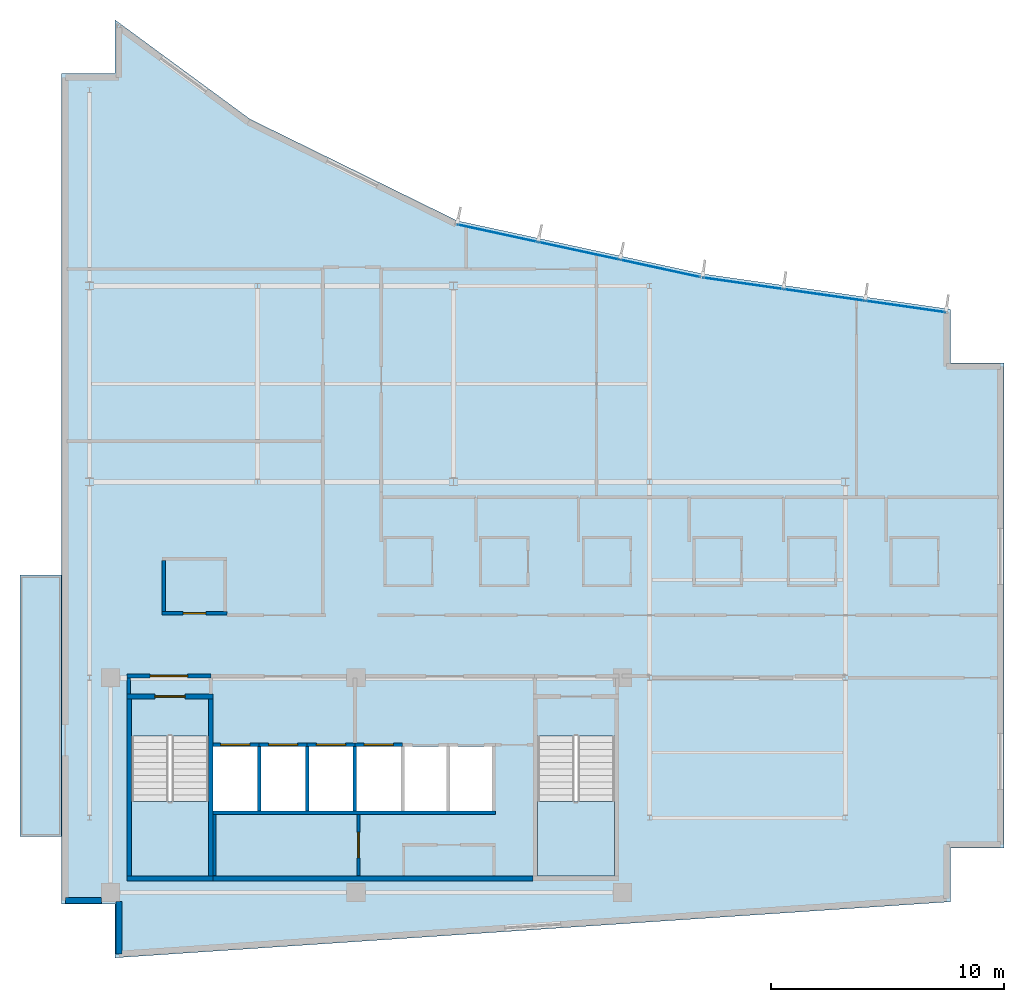
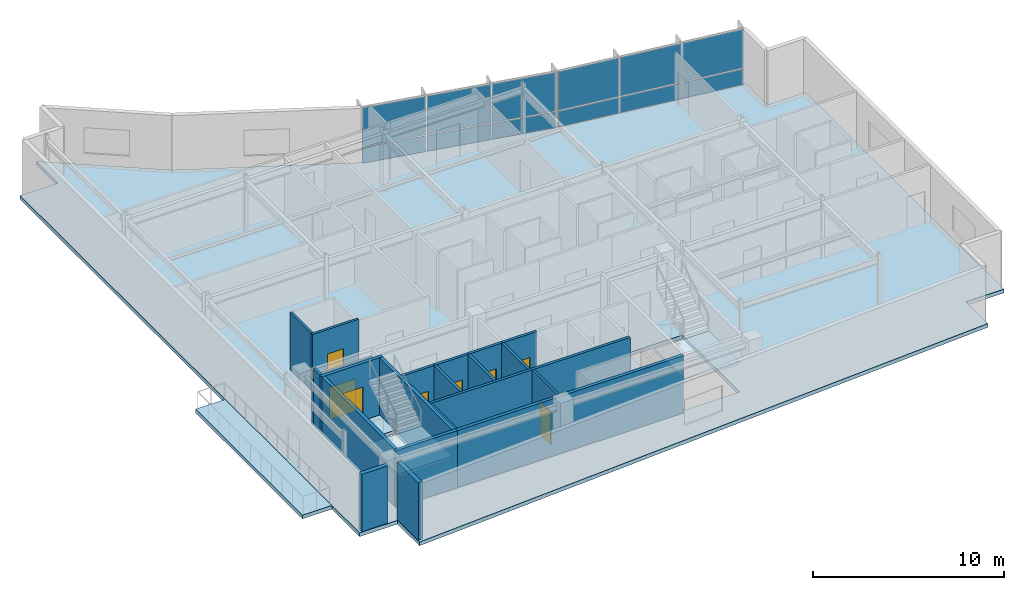
# One storey, part 9 of 15: 21 walls, 12 plates, 8 doors, 4 slabs, 8 openings, 4 elements without a shape of their own.
"""IFC4 building model written with IfcOpenShell, lengths in metres."""

from ifc_helpers import new_model, si_unit, direction, frame, frame_2d, origin, origin_2d, place, context, subcontext, project, spatial, polyline, rectangle, outline, extrude, material, layer, layer_set, type_object, element, fill, aggregate, save


model = new_model("IFC4")

# Units and contexts
model_context = context("Model", 3, precision=1e-05, world=origin(), true_north=direction((0.0, 1.0)))
body_context = subcontext(model_context, "Body", "Model", "MODEL_VIEW")
ifc_project = project(units=[si_unit("LENGTHUNIT", "METRE"), si_unit("AREAUNIT", "SQUARE_METRE"), si_unit("VOLUMEUNIT", "CUBIC_METRE"), si_unit("PLANEANGLEUNIT", "RADIAN"), si_unit("MASSUNIT", "GRAM", prefix="KILO")], contexts=[model_context])

# Site, building, storey
site_placement = place(None, origin())
site = spatial("IfcSite", under=ifc_project, at=site_placement, CompositionType="ELEMENT")
building_placement = place(site_placement, origin())
building = spatial("IfcBuilding", under=site, at=building_placement, Name="Varnakote Quay Hospital", CompositionType="ELEMENT")
storey_placement = place(building_placement, frame((0.0, 0.0, 300.0)))
storey = spatial("IfcBuildingStorey", under=building, at=storey_placement, Name="L74", CompositionType="ELEMENT", Elevation=300.0)

# Curtain wall, plates
ifc_material_1 = material(Name="Anodised aluminium 6063-T6 Bronze", Category="aluminium")
ifc_layer_1 = layer(ifc_material_1, 0.235107421875)
ifc_layer_set_1 = layer_set([ifc_layer_1], Name="Anodised aluminium 6063-T6 Bronze")
curtain_wall_type = type_object("IfcCurtainWallType", Name="CW-SYS-5", PredefinedType="NOTDEFINED", material=ifc_layer_set_1)
curtain_wall_1_placement = place(storey_placement, origin())
curtain_wall_1 = element("IfcCurtainWall", 1, at=curtain_wall_1_placement, inside=storey, type_object=curtain_wall_type, Name="L74 Unitised Bronze Curtain Wall 1", PredefinedType="NOTDEFINED")
ifc_material_2 = material(Name="Double-glazed low-E solar glass", Category="glass")
ifc_layer_2 = layer(ifc_material_2, 0.028076171875)
ifc_layer_set_2 = layer_set([ifc_layer_2], Name="Double-glazed low-E solar glass")
plate_type = type_object("IfcPlateType", Name="CW-PNL-GLZ-28", PredefinedType="CURTAIN_PANEL", material=ifc_layer_set_2)
plate_1_placement = place(storey_placement, frame((36.174560546875, 27.913818359375, 0.06494140625), z_axis=(0.0, 0.0, 1.0), x_axis=(-0.989927979062, 0.141571876691, 0.0)))
plate_1 = element("IfcPlate", 2, at=plate_1_placement, type_object=plate_type, Name="-5-L74-1 panel 1.1", PredefinedType="CURTAIN_PANEL", context=body_context, shape_type="SweptSolid", body=[
    extrude(rectangle(XDim=3.436767578125, YDim=0.028076171875, at=origin_2d()), origin(), (0.0, 0.0, 1.0), 1.00244140625),
])
plate_2_placement = place(storey_placement, frame((36.174560546875, 27.913818359375, 1.13232421875), z_axis=(0.0, 0.0, 1.0), x_axis=(-0.989927979062, 0.141571876691, 0.0)))
plate_2 = element("IfcPlate", 3, at=plate_2_placement, type_object=plate_type, Name="-5-L74-1 panel 1.2", PredefinedType="CURTAIN_PANEL", context=body_context, shape_type="SweptSolid", body=[
    extrude(rectangle(XDim=3.436767578125, YDim=0.028076171875, at=origin_2d()), origin(), (0.0, 0.0, 1.0), 2.472412109375),
])
plate_3_placement = place(storey_placement, frame((32.69189453125, 28.411865234375, 0.06494140625), z_axis=(0.0, 0.0, 1.0), x_axis=(-0.989927979062, 0.141571876691, 0.0)))
plate_3 = element("IfcPlate", 4, at=plate_3_placement, type_object=plate_type, Name="-5-L74-1 panel 2.1", PredefinedType="CURTAIN_PANEL", context=body_context, shape_type="SweptSolid", body=[
    extrude(rectangle(XDim=3.469482421875, YDim=0.028076171875, at=origin_2d()), origin(), (0.0, 0.0, 1.0), 1.00244140625),
])
plate_4_placement = place(storey_placement, frame((32.69189453125, 28.411865234375, 1.13232421875), z_axis=(0.0, 0.0, 1.0), x_axis=(-0.989927979062, 0.141571876691, 0.0)))
plate_4 = element("IfcPlate", 5, at=plate_4_placement, type_object=plate_type, Name="-5-L74-1 panel 2.2", PredefinedType="CURTAIN_PANEL", context=body_context, shape_type="SweptSolid", body=[
    extrude(rectangle(XDim=3.469482421875, YDim=0.028076171875, at=origin_2d()), origin(), (0.0, 0.0, 1.0), 2.472412109375),
])
plate_5_placement = place(storey_placement, frame((29.209228515625, 28.909912109375, 0.06494140625), z_axis=(0.0, 0.0, 1.0), x_axis=(-0.989927979062, 0.141571876691, 0.0)))
plate_5 = element("IfcPlate", 6, at=plate_5_placement, type_object=plate_type, Name="-5-L74-1 panel 3.1", PredefinedType="CURTAIN_PANEL", context=body_context, shape_type="SweptSolid", body=[
    extrude(rectangle(XDim=3.436767578125, YDim=0.028076171875, at=origin_2d()), origin(), (0.0, 0.0, 1.0), 1.00244140625),
])
plate_6_placement = place(storey_placement, frame((29.209228515625, 28.909912109375, 1.13232421875), z_axis=(0.0, 0.0, 1.0), x_axis=(-0.989927979062, 0.141571876691, 0.0)))
plate_6 = element("IfcPlate", 7, at=plate_6_placement, type_object=plate_type, Name="-5-L74-1 panel 3.2", PredefinedType="CURTAIN_PANEL", context=body_context, shape_type="SweptSolid", body=[
    extrude(rectangle(XDim=3.436767578125, YDim=0.028076171875, at=origin_2d()), origin(), (0.0, 0.0, 1.0), 2.472412109375),
])
aggregate(curtain_wall_1, [plate_1, plate_2, plate_3, plate_4, plate_5, plate_6])

curtain_wall_2_placement = place(storey_placement, origin())
curtain_wall_2 = element("IfcCurtainWall", 8, at=curtain_wall_2_placement, inside=storey, type_object=curtain_wall_type, Name="L74 Unitised Bronze Curtain Wall 2", PredefinedType="NOTDEFINED")
plate_7_placement = place(storey_placement, frame((25.673095703125, 29.54541015625, 0.06494140625), z_axis=(0.0, 0.0, 1.0), x_axis=(-0.97739794114, 0.211407815974, 0.0)))
plate_7 = element("IfcPlate", 9, at=plate_7_placement, type_object=plate_type, Name="-5-L74-2 panel 1.1", PredefinedType="CURTAIN_PANEL", context=body_context, shape_type="SweptSolid", body=[
    extrude(rectangle(XDim=3.4931640625, YDim=0.028076171875, at=origin_2d()), origin(), (0.0, 0.0, 1.0), 1.00244140625),
])
plate_8_placement = place(storey_placement, frame((25.673095703125, 29.54541015625, 1.13232421875), z_axis=(0.0, 0.0, 1.0), x_axis=(-0.97739794114, 0.211407815974, 0.0)))
plate_8 = element("IfcPlate", 10, at=plate_8_placement, type_object=plate_type, Name="-5-L74-2 panel 1.2", PredefinedType="CURTAIN_PANEL", context=body_context, shape_type="SweptSolid", body=[
    extrude(rectangle(XDim=3.4931640625, YDim=0.028076171875, at=origin_2d()), origin(), (0.0, 0.0, 1.0), 2.472412109375),
])
plate_9_placement = place(storey_placement, frame((22.179443359375, 30.301025390625, 0.06494140625), z_axis=(0.0, 0.0, 1.0), x_axis=(-0.97739794114, 0.211407815974, 0.0)))
plate_9 = element("IfcPlate", 11, at=plate_9_placement, type_object=plate_type, Name="-5-L74-2 panel 2.1", PredefinedType="CURTAIN_PANEL", context=body_context, shape_type="SweptSolid", body=[
    extrude(rectangle(XDim=3.525634765625, YDim=0.028076171875, at=origin_2d()), origin(), (0.0, 0.0, 1.0), 1.00244140625),
])
plate_10_placement = place(storey_placement, frame((22.179443359375, 30.301025390625, 1.13232421875), z_axis=(0.0, 0.0, 1.0), x_axis=(-0.97739794114, 0.211407815974, 0.0)))
plate_10 = element("IfcPlate", 12, at=plate_10_placement, type_object=plate_type, Name="-5-L74-2 panel 2.2", PredefinedType="CURTAIN_PANEL", context=body_context, shape_type="SweptSolid", body=[
    extrude(rectangle(XDim=3.525634765625, YDim=0.028076171875, at=origin_2d()), origin(), (0.0, 0.0, 1.0), 2.472412109375),
])
plate_11_placement = place(storey_placement, frame((18.685791015625, 31.056640625, 0.06494140625), z_axis=(0.0, 0.0, 1.0), x_axis=(-0.97739794114, 0.211407815974, 0.0)))
plate_11 = element("IfcPlate", 13, at=plate_11_placement, type_object=plate_type, Name="-5-L74-2 panel 3.1", PredefinedType="CURTAIN_PANEL", context=body_context, shape_type="SweptSolid", body=[
    extrude(rectangle(XDim=3.4931640625, YDim=0.028076171875, at=origin_2d()), origin(), (0.0, 0.0, 1.0), 1.00244140625),
])
plate_12_placement = place(storey_placement, frame((18.685791015625, 31.056640625, 1.13232421875), z_axis=(0.0, 0.0, 1.0), x_axis=(-0.97739794114, 0.211407815974, 0.0)))
plate_12 = element("IfcPlate", 14, at=plate_12_placement, type_object=plate_type, Name="-5-L74-2 panel 3.2", PredefinedType="CURTAIN_PANEL", context=body_context, shape_type="SweptSolid", body=[
    extrude(rectangle(XDim=3.4931640625, YDim=0.028076171875, at=origin_2d()), origin(), (0.0, 0.0, 1.0), 2.472412109375),
])
aggregate(curtain_wall_2, [plate_7, plate_8, plate_9, plate_10, plate_11, plate_12])

# Stair, slab
ifc_material_3 = material(Name="Concrete N40 (f'c 40 MPa)", Category="concrete")
stair_type = type_object("IfcStairType", Name="STR-CORE-1580", PredefinedType="HALF_TURN_STAIR", material=ifc_material_3)
stair_1_placement = place(storey_placement, origin())
stair_1 = element("IfcStair", 15, at=stair_1_placement, inside=storey, type_object=stair_type, Name="L74 Fire-Isolated Exit Stair ST-01", PredefinedType="HALF_TURN_STAIR")
ifc_material_4 = material(Name="Concrete N40 (f'c 40 MPa)", Category="concrete")
ifc_layer_3 = layer(ifc_material_4, 0.199951171875)
ifc_layer_set_3 = layer_set([ifc_layer_3], Name="Concrete N40 (f'c 40 MPa)")
slab_type_1 = type_object("IfcSlabType", Name="SLB-STAIR-LND-200", PredefinedType="LANDING", material=ifc_layer_set_3)
slab_1_placement = place(storey_placement, frame((0.0, 0.0, 1.77490234375)))
slab_1 = element("IfcSlab", 16, at=slab_1_placement, type_object=slab_type_1, Name="ST-01 landing 1", PredefinedType="LANDING", context=body_context, shape_type="SweptSolid", body=[
    extrude(outline(polyline([(3.0, 6.699951171875), (3.0, 3.5), (6.300048828125, 3.5), (6.300048828125, 6.699951171875), (3.0, 6.699951171875)])), origin(), (0.0, 0.0, 1.0), 0.2001953125),
])
aggregate(stair_1, [slab_1])

stair_2_placement = place(storey_placement, origin())
stair_2 = element("IfcStair", 17, at=stair_2_placement, inside=storey, type_object=stair_type, Name="L74 Fire-Isolated Exit Stair ST-02", PredefinedType="HALF_TURN_STAIR")
slab_2_placement = place(storey_placement, frame((0.0, 0.0, 1.77490234375)))
slab_2 = element("IfcSlab", 18, at=slab_2_placement, type_object=slab_type_1, Name="ST-02 landing 1", PredefinedType="LANDING", context=body_context, shape_type="SweptSolid", body=[
    extrude(outline(polyline([(20.39990234375, 6.699951171875), (20.39990234375, 3.5), (23.699951171875, 3.5), (23.699951171875, 6.699951171875), (20.39990234375, 6.699951171875)])), origin(), (0.0, 0.0, 1.0), 0.2001953125),
])
aggregate(stair_2, [slab_2])

# Slabs
ifc_material_5 = material(Name="Concrete N50 (f'c 50 MPa)", Category="concrete")
ifc_layer_4 = layer(ifc_material_5, 0.239990234375)
ifc_layer_set_4 = layer_set([ifc_layer_4], Name="Concrete N50 (f'c 50 MPa)")
slab_type_2 = type_object("IfcSlabType", Name="SLB-TERR-200", PredefinedType="FLOOR", material=ifc_layer_set_4)
slab_3_placement = place(storey_placement, frame((0.0, 0.0, -0.239990234375)))
element("IfcSlab", 19, at=slab_3_placement, inside=storey, type_object=slab_type_2, Name="L74 Waterfront Healing Terrace Slab", PredefinedType="FLOOR", context=body_context, shape_type="SweptSolid", body=[
    extrude(outline(polyline([(0.00390625, 5.199951171875), (0.00390625, 16.39990234375), (-1.780029296875, 16.39990234375), (-1.780029296875, 5.199951171875), (0.00390625, 5.199951171875)])), origin(), (0.0, 0.0, 1.0), 0.239990234375),
])
ifc_material_6 = material(Name="Concrete N50 (f'c 50 MPa)", Category="concrete")
ifc_layer_5 = layer(ifc_material_6, 0.239990234375)
ifc_layer_set_5 = layer_set([ifc_layer_5], Name="Concrete N50 (f'c 50 MPa)")
slab_type_3 = type_object("IfcSlabType", Name="SLB-WARD-200", PredefinedType="FLOOR", material=ifc_layer_set_5)
slab_4_placement = place(storey_placement, frame((0.0, 0.0, -0.239990234375)))
element("IfcSlab", 20, at=slab_4_placement, inside=storey, type_object=slab_type_3, Name="L74 Primary Floor Slab", PredefinedType="FLOOR", context=body_context, shape_type="SweptSolid", body=[
    extrude(outline(polyline([(0.0, 2.300048828125), (2.300048828125, 2.300048828125), (2.300048828125, 0.0), (38.10009765625, 2.39990234375), (38.10009765625, 4.699951171875), (40.39990234375, 4.699951171875), (40.39990234375, 25.5), (38.10009765625, 25.5), (38.10009765625, 27.800048828125), (27.471923828125, 29.320068359375), (16.968017578125, 31.592041015625), (8.080078125, 35.951904296875), (2.300048828125, 40.199951171875), (2.300048828125, 37.89990234375), (0.0, 37.89990234375), (0.0, 2.300048828125)]), holes=[polyline([(3.0, 3.5), (6.300048828125, 3.5), (6.300048828125, 9.49951171875), (3.0, 9.49951171875), (3.0, 3.5)]), polyline([(20.39990234375, 3.5), (23.699951171875, 3.5), (23.699951171875, 9.49951171875), (20.39990234375, 9.49951171875), (20.39990234375, 3.5)]), polyline([(6.5, 6.300048828125), (8.39990234375, 6.300048828125), (8.39990234375, 9.050048828125), (6.5, 9.050048828125), (6.5, 6.300048828125)]), polyline([(8.550048828125, 6.300048828125), (10.449951171875, 6.300048828125), (10.449951171875, 9.050048828125), (8.550048828125, 9.050048828125), (8.550048828125, 6.300048828125)]), polyline([(10.60009765625, 6.300048828125), (12.5, 6.300048828125), (12.5, 9.050048828125), (10.60009765625, 9.050048828125), (10.60009765625, 6.300048828125)]), polyline([(12.64990234375, 6.300048828125), (14.550048828125, 6.300048828125), (14.550048828125, 9.050048828125), (12.64990234375, 9.050048828125), (12.64990234375, 6.300048828125)]), polyline([(14.699951171875, 6.300048828125), (16.5, 6.300048828125), (16.5, 9.050048828125), (14.699951171875, 9.050048828125), (14.699951171875, 6.300048828125)]), polyline([(16.64990234375, 6.300048828125), (18.449951171875, 6.300048828125), (18.449951171875, 9.050048828125), (16.64990234375, 9.050048828125), (16.64990234375, 6.300048828125)])]), origin(), (0.0, 0.0, 1.0), 0.239990234375),
])

# Wall
ifc_material_7 = material(Name="Fire-rated acoustic gypsum stud wall", Category="gypsum")
ifc_layer_6 = layer(ifc_material_7, 0.159912109375)
ifc_layer_set_6 = layer_set([ifc_layer_6], Name="Fire-rated acoustic gypsum stud wall")
wall_type_1 = type_object("IfcWallType", Name="WL-COMP-160", PredefinedType="PARTITIONING", material=ifc_layer_set_6)
wall_1_placement = place(storey_placement, frame((2.8798828125, 11.300048828125, 0.0), z_axis=(0.0, 0.0, 1.0), x_axis=(0.0, 1.0, 0.0)))
element("IfcWall", 21, at=wall_1_placement, inside=storey, type_object=wall_type_1, Name="L74 West Stair Vestibule West Wall", PredefinedType="PARTITIONING", context=body_context, shape_type="SweptSolid", body=[
    extrude(rectangle(XDim=0.699951171875, YDim=0.159912109375, at=frame_2d((0.35009765625, 0.0))), origin(), (0.0, 0.0, 1.0), 3.669921875),
])

# Wall, opening, door
wall_2_placement = place(storey_placement, frame((2.800048828125, 12.080078125, 0.0), z_axis=(0.0, 0.0, 1.0), x_axis=(1.0, 0.0, 0.0)))
wall_2 = element("IfcWall", 22, at=wall_2_placement, inside=storey, type_object=wall_type_1, Name="L74 West Stair Vestibule Smoke Wall", PredefinedType="PARTITIONING", context=body_context, shape_type="SweptSolid", body=[
    extrude(rectangle(XDim=3.599853515625, YDim=0.159912109375, at=frame_2d((1.7998046875, 0.0))), origin(), (0.0, 0.0, 1.0), 3.116943359375),
])
opening_1_placement = place(wall_2_placement, frame((1.0, 0.0, 0.0)))
opening_1 = element("IfcOpeningElement", 23, at=opening_1_placement, cuts=wall_2, Name="Opening D-ST1L-L74", PredefinedType="OPENING", context=body_context, shape_type="SweptSolid", body=[
    extrude(rectangle(XDim=1.60009765625, YDim=2.050048828125, at=frame_2d((0.800048828125, 1.02490234375))), frame((0.0, 0.08984375, 0.0), z_axis=(0.0, -1.0, 0.0), x_axis=(1.0, 0.0, 0.0)), (0.0, 0.0, 1.0), 0.179931640625),
])
ifc_material_8 = material(Name="Fire-rated double smoke lobby door")
door_type_1 = type_object("IfcDoorType", Name="DR-LOBBY-FD60S-1600x2150", OperationType="NOTDEFINED", PredefinedType="DOOR", material=ifc_material_8)
door_1_placement = place(opening_1_placement, origin())
door_1 = element("IfcDoor", 24, at=door_1_placement, inside=storey, type_object=door_type_1, Name="L74 West Stair Vestibule Smoke Door", OperationType="DOUBLE_DOOR_SINGLE_SWING", OverallHeight=2.050048828125, OverallWidth=1.60009765625, PredefinedType="DOOR", context=body_context, shape_type="SweptSolid", body=[
    extrude(rectangle(XDim=1.60009765625, YDim=2.050048828125, at=frame_2d((0.800048828125, 1.02490234375))), frame((0.0, 0.02490234375, 0.0), z_axis=(0.0, -1.0, 0.0), x_axis=(1.0, 0.0, 0.0)), (0.0, 0.0, 1.0), 0.050048828125),
])
fill(opening_1, door_1)

# Walls
ifc_material_9 = material(Name="Concrete N50 (f'c 50 MPa)", Category="concrete")
ifc_layer_7 = layer(ifc_material_9, 0.199951171875)
ifc_layer_set_7 = layer_set([ifc_layer_7], Name="Concrete N50 (f'c 50 MPa)")
wall_type_2 = type_object("IfcWallType", Name="WL-CORE-N50-200", PredefinedType="SHEAR", material=ifc_layer_set_7)
wall_3_placement = place(storey_placement, frame((6.5, 3.39990234375, 0.0), z_axis=(0.0, 0.0, 1.0), x_axis=(1.0, 0.0, 0.0)))
element("IfcWall", 25, at=wall_3_placement, inside=storey, type_object=wall_type_2, Name="L74 Rear Core South Shear Wall", PredefinedType="SHEAR", context=body_context, shape_type="SweptSolid", body=[
    extrude(rectangle(XDim=13.699951171875, YDim=0.199951171875, at=frame_2d((6.85009765625, 0.0))), origin(), (0.0, 0.0, 1.0), 3.669921875),
])
ifc_material_10 = material(Name="Precast concrete N50 (f'c 50 MPa)", Category="concrete")
ifc_layer_8 = layer(ifc_material_10, 0.260009765625)
ifc_layer_set_8 = layer_set([ifc_layer_8], Name="Precast concrete N50 (f'c 50 MPa)")
wall_type_3 = type_object("IfcWallType", Name="WL-EXT-BRICK-260", PredefinedType="STANDARD", material=ifc_layer_set_8)
wall_4_placement = place(storey_placement, frame((2.4599609375, 2.4150390625, 0.0), z_axis=(0.0, 0.0, 1.0), x_axis=(0.0, -1.0, 0.0)))
element("IfcWall", 26, at=wall_4_placement, inside=storey, type_object=wall_type_3, Name="L74 Brick-Faced Precast Exterior Wall", PredefinedType="STANDARD", context=body_context, shape_type="SweptSolid", body=[
    extrude(rectangle(XDim=2.243896484375, YDim=0.260009765625, at=frame_2d((1.1220703125, 0.0))), origin(), (0.0, 0.0, 1.0), 3.669921875),
])
wall_5_placement = place(storey_placement, frame((0.159912109375, 2.4599609375, 0.0), z_axis=(0.0, 0.0, 1.0), x_axis=(1.0, 0.0, 0.0)))
element("IfcWall", 27, at=wall_5_placement, inside=storey, type_object=wall_type_3, Name="L74 Brick-Faced Precast Exterior Wall", PredefinedType="STANDARD", context=body_context, shape_type="SweptSolid", body=[
    extrude(rectangle(XDim=1.55517578125, YDim=0.260009765625, at=frame_2d((0.777587890625, 0.0))), origin(), (0.0, 0.0, 1.0), 3.669921875),
])
ifc_material_11 = material(Name="Concrete N50 (f'c 50 MPa)", Category="concrete")
ifc_layer_9 = layer(ifc_material_11, 0.14990234375)
ifc_layer_set_9 = layer_set([ifc_layer_9], Name="Concrete N50 (f'c 50 MPa)")
wall_type_4 = type_object("IfcWallType", Name="WL-SHAFT-N50-150", PredefinedType="SHEAR", material=ifc_layer_set_9)
for number, where, z_axis, x_axis, name in (
    (28, (8.47509765625, 6.300048828125, 0.0), (0.0, 0.0, 1.0), (0.0, 1.0, 0.0), "L74 LF-FF1 Hoistway Divider Wall"),
    (29, (10.52490234375, 6.300048828125, 0.0), (0.0, 0.0, 1.0), (0.0, 1.0, 0.0), "L74 LF-FF2 Hoistway Divider Wall"),
    (30, (12.574951171875, 6.300048828125, 0.0), (0.0, 0.0, 1.0), (0.0, 1.0, 0.0), "L74 LF-SV1 Hoistway Divider Wall"),
):
    element("IfcWall", number, at=place(storey_placement, frame(where, z_axis=z_axis, x_axis=x_axis)), inside=storey, type_object=wall_type_4, Name=name, PredefinedType="SHEAR", context=body_context, shape_type="SweptSolid", body=[
        extrude(rectangle(XDim=2.75, YDim=0.14990234375, at=frame_2d((1.375, 0.0))), origin(), (0.0, 0.0, 1.0), 3.669921875),
    ])
ifc_material_12 = material(Name="Concrete N50 (f'c 50 MPa)", Category="concrete")
ifc_layer_10 = layer(ifc_material_12, 0.159912109375)
ifc_layer_set_10 = layer_set([ifc_layer_10], Name="Concrete N50 (f'c 50 MPa)")
wall_type_5 = type_object("IfcWallType", Name="WL-SHAFT-N50-160", PredefinedType="SHEAR", material=ifc_layer_set_10)
wall_6_placement = place(storey_placement, frame((6.5, 6.219970703125, 0.0), z_axis=(0.0, 0.0, 1.0), x_axis=(1.0, 0.0, 0.0)))
element("IfcWall", 31, at=wall_6_placement, inside=storey, type_object=wall_type_5, Name="L74 REAR Lift Bank Back Shear Wall", PredefinedType="SHEAR", context=body_context, shape_type="SweptSolid", body=[
    extrude(rectangle(XDim=12.110107421875, YDim=0.159912109375, at=frame_2d((6.05517578125, 0.0))), origin(), (0.0, 0.0, 1.0), 3.669921875),
])

# Wall, opening, door
wall_7_placement = place(storey_placement, frame((6.5, 9.1298828125, 0.0), z_axis=(0.0, 0.0, 1.0), x_axis=(1.0, 0.0, 0.0)))
wall_7 = element("IfcWall", 32, at=wall_7_placement, inside=storey, type_object=wall_type_5, Name="L74 LF-FF1 Hoistway Front Wall", PredefinedType="SHEAR", context=body_context, shape_type="SweptSolid", body=[
    extrude(rectangle(XDim=1.97509765625, YDim=0.159912109375, at=frame_2d((0.987548828125, 0.0))), origin(), (0.0, 0.0, 1.0), 3.669921875),
])
opening_2_placement = place(wall_7_placement, frame((0.324951171875, 0.0, 0.0)))
opening_2 = element("IfcOpeningElement", 33, at=opening_2_placement, cuts=wall_7, Name="Opening LD-FF1-L74", PredefinedType="OPENING", context=body_context, shape_type="SweptSolid", body=[
    extrude(rectangle(XDim=1.25, YDim=2.14990234375, at=frame_2d((0.625, 1.074951171875))), frame((0.0, 0.08984375, 0.0), z_axis=(0.0, -1.0, 0.0), x_axis=(1.0, 0.0, 0.0)), (0.0, 0.0, 1.0), 0.179931640625),
])
ifc_material_13 = material(Name="Stainless steel lift landing sliding door", Category="steel")
door_type_2 = type_object("IfcDoorType", Name="DR-LIFT-LD-1250x2150", OperationType="NOTDEFINED", PredefinedType="DOOR", material=ifc_material_13)
door_2_placement = place(opening_2_placement, origin())
door_2 = element("IfcDoor", 34, at=door_2_placement, inside=storey, type_object=door_type_2, Name="L74 LF-FF1 Lift Landing Sliding Door", OperationType="SLIDING_TO_LEFT", OverallHeight=2.14990234375, OverallWidth=1.25, PredefinedType="DOOR", context=body_context, shape_type="SweptSolid", body=[
    extrude(rectangle(XDim=1.25, YDim=2.14990234375, at=frame_2d((0.625, 1.074951171875))), frame((0.0, 0.02490234375, 0.0), z_axis=(0.0, -1.0, 0.0), x_axis=(1.0, 0.0, 0.0)), (0.0, 0.0, 1.0), 0.050048828125),
])
fill(opening_2, door_2)

wall_8_placement = place(storey_placement, frame((8.47509765625, 9.1298828125, 0.0), z_axis=(0.0, 0.0, 1.0), x_axis=(1.0, 0.0, 0.0)))
wall_8 = element("IfcWall", 35, at=wall_8_placement, inside=storey, type_object=wall_type_5, Name="L74 LF-FF2 Hoistway Front Wall", PredefinedType="SHEAR", context=body_context, shape_type="SweptSolid", body=[
    extrude(rectangle(XDim=2.0498046875, YDim=0.159912109375, at=frame_2d((1.02490234375, 0.0))), origin(), (0.0, 0.0, 1.0), 3.669921875),
])
opening_3_placement = place(wall_8_placement, frame((0.39990234375, 0.0, 0.0)))
opening_3 = element("IfcOpeningElement", 36, at=opening_3_placement, cuts=wall_8, Name="Opening LD-FF2-L74", PredefinedType="OPENING", context=body_context, shape_type="SweptSolid", body=[
    extrude(rectangle(XDim=1.25, YDim=2.14990234375, at=frame_2d((0.625, 1.074951171875))), frame((0.0, 0.08984375, 0.0), z_axis=(0.0, -1.0, 0.0), x_axis=(1.0, 0.0, 0.0)), (0.0, 0.0, 1.0), 0.179931640625),
])
door_3_placement = place(opening_3_placement, origin())
door_3 = element("IfcDoor", 37, at=door_3_placement, inside=storey, type_object=door_type_2, Name="L74 LF-FF2 Lift Landing Sliding Door", OperationType="SLIDING_TO_LEFT", OverallHeight=2.14990234375, OverallWidth=1.25, PredefinedType="DOOR", context=body_context, shape_type="SweptSolid", body=[
    extrude(rectangle(XDim=1.25, YDim=2.14990234375, at=frame_2d((0.625, 1.074951171875))), frame((0.0, 0.02490234375, 0.0), z_axis=(0.0, -1.0, 0.0), x_axis=(1.0, 0.0, 0.0)), (0.0, 0.0, 1.0), 0.050048828125),
])
fill(opening_3, door_3)

wall_9_placement = place(storey_placement, frame((10.52490234375, 9.1298828125, 0.0), z_axis=(0.0, 0.0, 1.0), x_axis=(1.0, 0.0, 0.0)))
wall_9 = element("IfcWall", 38, at=wall_9_placement, inside=storey, type_object=wall_type_5, Name="L74 LF-SV1 Hoistway Front Wall", PredefinedType="SHEAR", context=body_context, shape_type="SweptSolid", body=[
    extrude(rectangle(XDim=2.050048828125, YDim=0.159912109375, at=frame_2d((1.02490234375, 0.0))), origin(), (0.0, 0.0, 1.0), 3.669921875),
])
opening_4_placement = place(wall_9_placement, frame((0.39990234375, 0.0, 0.0)))
opening_4 = element("IfcOpeningElement", 39, at=opening_4_placement, cuts=wall_9, Name="Opening LD-SV1-L74", PredefinedType="OPENING", context=body_context, shape_type="SweptSolid", body=[
    extrude(rectangle(XDim=1.25, YDim=2.14990234375, at=frame_2d((0.625, 1.074951171875))), frame((0.0, 0.08984375, 0.0), z_axis=(0.0, -1.0, 0.0), x_axis=(1.0, 0.0, 0.0)), (0.0, 0.0, 1.0), 0.179931640625),
])
door_4_placement = place(opening_4_placement, origin())
door_4 = element("IfcDoor", 40, at=door_4_placement, inside=storey, type_object=door_type_2, Name="L74 LF-SV1 Lift Landing Sliding Door", OperationType="SLIDING_TO_LEFT", OverallHeight=2.14990234375, OverallWidth=1.25, PredefinedType="DOOR", context=body_context, shape_type="SweptSolid", body=[
    extrude(rectangle(XDim=1.25, YDim=2.14990234375, at=frame_2d((0.625, 1.074951171875))), frame((0.0, 0.02490234375, 0.0), z_axis=(0.0, -1.0, 0.0), x_axis=(1.0, 0.0, 0.0)), (0.0, 0.0, 1.0), 0.050048828125),
])
fill(opening_4, door_4)

wall_10_placement = place(storey_placement, frame((12.574951171875, 9.1298828125, 0.0), z_axis=(0.0, 0.0, 1.0), x_axis=(1.0, 0.0, 0.0)))
wall_10 = element("IfcWall", 41, at=wall_10_placement, inside=storey, type_object=wall_type_5, Name="L74 LF-SV2 Hoistway Front Wall", PredefinedType="SHEAR", context=body_context, shape_type="SweptSolid", body=[
    extrude(rectangle(XDim=2.050048828125, YDim=0.159912109375, at=frame_2d((1.02490234375, 0.0))), origin(), (0.0, 0.0, 1.0), 3.669921875),
])
opening_5_placement = place(wall_10_placement, frame((0.39990234375, 0.0, 0.0)))
opening_5 = element("IfcOpeningElement", 42, at=opening_5_placement, cuts=wall_10, Name="Opening LD-SV2-L74", PredefinedType="OPENING", context=body_context, shape_type="SweptSolid", body=[
    extrude(rectangle(XDim=1.25, YDim=2.14990234375, at=frame_2d((0.625, 1.074951171875))), frame((0.0, 0.08984375, 0.0), z_axis=(0.0, -1.0, 0.0), x_axis=(1.0, 0.0, 0.0)), (0.0, 0.0, 1.0), 0.179931640625),
])
door_5_placement = place(opening_5_placement, origin())
door_5 = element("IfcDoor", 43, at=door_5_placement, inside=storey, type_object=door_type_2, Name="L74 LF-SV2 Lift Landing Sliding Door", OperationType="SLIDING_TO_LEFT", OverallHeight=2.14990234375, OverallWidth=1.25, PredefinedType="DOOR", context=body_context, shape_type="SweptSolid", body=[
    extrude(rectangle(XDim=1.25, YDim=2.14990234375, at=frame_2d((0.625, 1.074951171875))), frame((0.0, 0.02490234375, 0.0), z_axis=(0.0, -1.0, 0.0), x_axis=(1.0, 0.0, 0.0)), (0.0, 0.0, 1.0), 0.050048828125),
])
fill(opening_5, door_5)

# Walls
ifc_material_14 = material(Name="Concrete N50 (f'c 50 MPa)", Category="concrete")
ifc_layer_11 = layer(ifc_material_14, 0.199951171875)
ifc_layer_set_11 = layer_set([ifc_layer_11], Name="Concrete N50 (f'c 50 MPa)")
wall_type_6 = type_object("IfcWallType", Name="WL-SHAFT-N50-200", PredefinedType="SHEAR", material=ifc_layer_set_11)
wall_11_placement = place(storey_placement, frame((2.800048828125, 3.39990234375, 0.0), z_axis=(0.0, 0.0, 1.0), x_axis=(1.0, 0.0, 0.0)))
element("IfcWall", 44, at=wall_11_placement, inside=storey, type_object=wall_type_6, Name="L74 Stair ST1 South Shaft Wall", PredefinedType="SHEAR", context=body_context, shape_type="SweptSolid", body=[
    extrude(rectangle(XDim=3.699951171875, YDim=0.199951171875, at=frame_2d((1.85009765625, 0.0))), origin(), (0.0, 0.0, 1.0), 3.669921875),
])
for number, where, z_axis, x_axis, name in (
    (45, (2.89990234375, 3.5, 0.0), (0.0, 0.0, 1.0), (0.0, 1.0, 0.0), "L74 Stair ST1 West Shaft Wall"),
    (46, (6.39990234375, 3.5, 0.0), (0.0, 0.0, 1.0), (0.0, 1.0, 0.0), "L74 Stair ST1 East Shaft Wall"),
):
    element("IfcWall", number, at=place(storey_placement, frame(where, z_axis=z_axis, x_axis=x_axis)), inside=storey, type_object=wall_type_6, Name=name, PredefinedType="SHEAR", context=body_context, shape_type="SweptSolid", body=[
        extrude(rectangle(XDim=7.60009765625, YDim=0.199951171875, at=frame_2d((3.800048828125, 0.0))), origin(), (0.0, 0.0, 1.0), 3.669921875),
    ])

# Wall, opening, door
wall_12_placement = place(storey_placement, frame((2.800048828125, 11.199951171875, 0.0), z_axis=(0.0, 0.0, 1.0), x_axis=(1.0, 0.0, 0.0)))
wall_12 = element("IfcWall", 47, at=wall_12_placement, inside=storey, type_object=wall_type_6, Name="L74 Stair ST1 Exit Wall", PredefinedType="SHEAR", context=body_context, shape_type="SweptSolid", body=[
    extrude(rectangle(XDim=3.699951171875, YDim=0.199951171875, at=frame_2d((1.85009765625, 0.0))), origin(), (0.0, 0.0, 1.0), 3.669921875),
])
opening_6_placement = place(wall_12_placement, frame((1.199951171875, 0.0, 0.0)))
opening_6 = element("IfcOpeningElement", 48, at=opening_6_placement, cuts=wall_12, Name="Opening D-ST1-L74", PredefinedType="OPENING", context=body_context, shape_type="SweptSolid", body=[
    extrude(rectangle(XDim=1.300048828125, YDim=2.14990234375, at=frame_2d((0.64990234375, 1.074951171875))), frame((0.0, 0.10986328125, 0.0), z_axis=(0.0, -1.0, 0.0), x_axis=(1.0, 0.0, 0.0)), (0.0, 0.0, 1.0), 0.219970703125),
])
ifc_material_15 = material(Name="Fire-rated ceramic-glazed timber exit door", Category="wood")
door_type_3 = type_object("IfcDoorType", Name="DR-STAIR-FD60S-1300x2150", OperationType="NOTDEFINED", PredefinedType="DOOR", material=ifc_material_15)
door_6_placement = place(opening_6_placement, origin())
door_6 = element("IfcDoor", 49, at=door_6_placement, inside=storey, type_object=door_type_3, Name="L74 Stair ST1 Fire Exit Door", OperationType="SINGLE_SWING_LEFT", OverallHeight=2.14990234375, OverallWidth=1.300048828125, PredefinedType="DOOR", context=body_context, shape_type="SweptSolid", body=[
    extrude(rectangle(XDim=1.300048828125, YDim=2.14990234375, at=frame_2d((0.64990234375, 1.074951171875))), frame((0.0, 0.02490234375, 0.0), z_axis=(0.0, -1.0, 0.0), x_axis=(1.0, 0.0, 0.0)), (0.0, 0.0, 1.0), 0.050048828125),
])
fill(opening_6, door_6)

# Wall
ifc_material_16 = material(Name="Smoke-proof clinical partition", Category="gypsum")
ifc_layer_12 = layer(ifc_material_16, 0.1201171875)
ifc_layer_set_12 = layer_set([ifc_layer_12], Name="Smoke-proof clinical partition")
wall_type_7 = type_object("IfcWallType", Name="WL-SMOKE-120", PredefinedType="PARTITIONING", material=ifc_layer_set_12)
wall_13_placement = place(storey_placement, frame((6.56005859375, 3.52001953125, 0.0), z_axis=(0.0, 0.0, 1.0), x_axis=(0.0, 1.0, 0.0)))
element("IfcWall", 50, at=wall_13_placement, inside=storey, type_object=wall_type_7, Name="L74 Core West Store West Wall", PredefinedType="PARTITIONING", context=body_context, shape_type="SweptSolid", body=[
    extrude(rectangle(XDim=2.619873046875, YDim=0.1201171875, at=frame_2d((1.31005859375, 0.0))), origin(), (0.0, 0.0, 1.0), 3.669921875),
])

# Wall, opening, door
ifc_material_17 = material(Name="Fire-rated clinical gypsum partition", Category="gypsum")
ifc_layer_13 = layer(ifc_material_17, 0.139892578125)
ifc_layer_set_13 = layer_set([ifc_layer_13], Name="Fire-rated clinical gypsum partition")
wall_type_8 = type_object("IfcWallType", Name="WL-WARD-140", PredefinedType="PARTITIONING", material=ifc_layer_set_13)
wall_14_placement = place(storey_placement, frame((12.72998046875, 3.52001953125, 0.0), z_axis=(0.0, 0.0, 1.0), x_axis=(0.0, 1.0, 0.0)))
wall_14 = element("IfcWall", 51, at=wall_14_placement, inside=storey, type_object=wall_type_8, Name="L74 Core Clean Equipment Store East Wall", PredefinedType="PARTITIONING", context=body_context, shape_type="SweptSolid", body=[
    extrude(rectangle(XDim=2.619873046875, YDim=0.139892578125, at=frame_2d((1.31005859375, 0.0))), origin(), (0.0, 0.0, 1.0), 3.669921875),
])
opening_7_placement = place(wall_14_placement, frame((0.760009765625, 0.0, 0.0)))
opening_7 = element("IfcOpeningElement", 52, at=opening_7_placement, cuts=wall_14, Name="Opening D-L74-CR01", PredefinedType="OPENING", context=body_context, shape_type="SweptSolid", body=[
    extrude(rectangle(XDim=1.10009765625, YDim=2.10009765625, at=frame_2d((0.550048828125, 1.050048828125))), frame((0.0, 0.079833984375, 0.0), z_axis=(0.0, -1.0, 0.0), x_axis=(1.0, 0.0, 0.0)), (0.0, 0.0, 1.0), 0.159912109375),
])
ifc_material_18 = material(Name="Acoustic timber clinical consult door", Category="wood")
door_type_4 = type_object("IfcDoorType", Name="DR-CLIN-FD30S-1100x2100", OperationType="NOTDEFINED", PredefinedType="DOOR", material=ifc_material_18)
door_7_placement = place(opening_7_placement, origin())
door_7 = element("IfcDoor", 53, at=door_7_placement, inside=storey, type_object=door_type_4, Name="L74 Core Clean Equipment Store Door", OperationType="SINGLE_SWING_LEFT", OverallHeight=2.10009765625, OverallWidth=1.10009765625, PredefinedType="DOOR", context=body_context, shape_type="SweptSolid", body=[
    extrude(rectangle(XDim=1.10009765625, YDim=2.10009765625, at=frame_2d((0.550048828125, 1.050048828125))), frame((0.0, 0.02490234375, 0.0), z_axis=(0.0, -1.0, 0.0), x_axis=(1.0, 0.0, 0.0)), (0.0, 0.0, 1.0), 0.050048828125),
])
fill(opening_7, door_7)

wall_15_placement = place(storey_placement, frame((4.31005859375, 14.77001953125, 0.0), z_axis=(0.0, 0.0, 1.0), x_axis=(1.0, 0.0, 0.0)))
wall_15 = element("IfcWall", 54, at=wall_15_placement, inside=storey, type_object=wall_type_8, Name="L74 Floor Unisex Accessible WC S Wall", PredefinedType="PARTITIONING", context=body_context, shape_type="SweptSolid", body=[
    extrude(rectangle(XDim=2.780029296875, YDim=0.139892578125, at=frame_2d((1.39013671875, 0.0))), origin(), (0.0, 0.0, 1.0), 3.669921875),
])
opening_8_placement = place(wall_15_placement, frame((0.89990234375, 0.0, 0.0)))
opening_8 = element("IfcOpeningElement", 55, at=opening_8_placement, cuts=wall_15, Name="Opening D-L74-EW01", PredefinedType="OPENING", context=body_context, shape_type="SweptSolid", body=[
    extrude(rectangle(XDim=0.97998046875, YDim=2.10009765625, at=frame_2d((0.489990234375, 1.050048828125))), frame((0.0, 0.079833984375, 0.0), z_axis=(0.0, -1.0, 0.0), x_axis=(1.0, 0.0, 0.0)), (0.0, 0.0, 1.0), 0.159912109375),
])
ifc_material_19 = material(Name="Accessible sanitary compartment door")
door_type_5 = type_object("IfcDoorType", Name="DR-WC-980x2100", OperationType="NOTDEFINED", PredefinedType="DOOR", material=ifc_material_19)
door_8_placement = place(opening_8_placement, origin())
door_8 = element("IfcDoor", 56, at=door_8_placement, inside=storey, type_object=door_type_5, Name="L74 Floor Unisex Accessible WC Door", OperationType="SINGLE_SWING_RIGHT", OverallHeight=2.10009765625, OverallWidth=0.97998046875, PredefinedType="DOOR", context=body_context, shape_type="SweptSolid", body=[
    extrude(rectangle(XDim=0.97998046875, YDim=2.10009765625, at=frame_2d((0.489990234375, 1.050048828125))), frame((0.0, 0.02490234375, 0.0), z_axis=(0.0, -1.0, 0.0), x_axis=(1.0, 0.0, 0.0)), (0.0, 0.0, 1.0), 0.050048828125),
])
fill(opening_8, door_8)

# Wall
wall_16_placement = place(storey_placement, frame((4.3798828125, 14.840087890625, 0.0), z_axis=(0.0, 0.0, 1.0), x_axis=(0.0, 1.0, 0.0)))
element("IfcWall", 57, at=wall_16_placement, inside=storey, type_object=wall_type_8, Name="L74 Floor Unisex Accessible WC W Wall", PredefinedType="PARTITIONING", context=body_context, shape_type="SweptSolid", body=[
    extrude(rectangle(XDim=2.199951171875, YDim=0.139892578125, at=frame_2d((1.10009765625, 0.0))), origin(), (0.0, 0.0, 1.0), 3.669921875),
])

save(model, "model.ifc")
